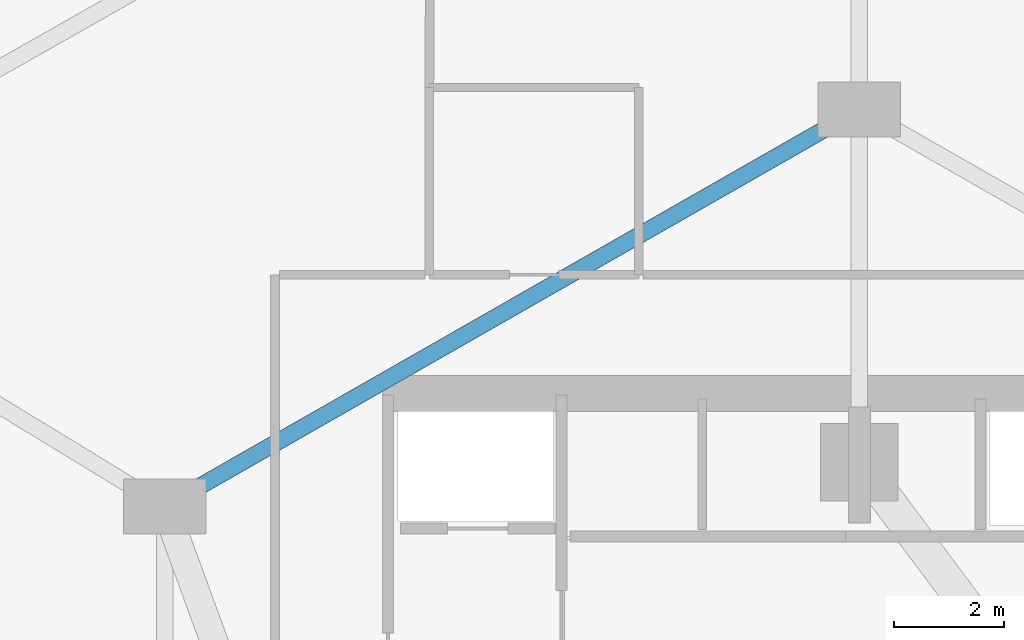
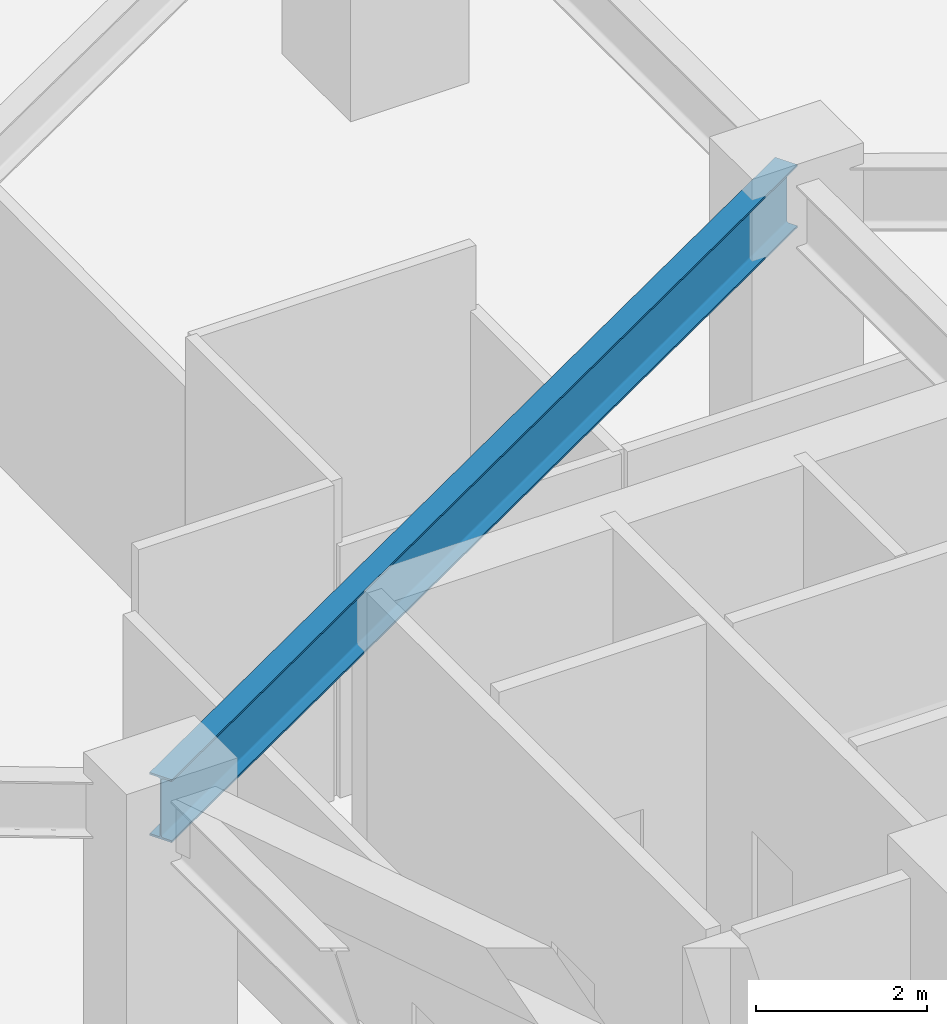
# One storey, part 9 of 23: 1 beam.
"""IFC4 building model written with IfcOpenShell, lengths in metres."""

from ifc_helpers import new_model, si_unit, direction, frame, origin, origin_2d, place, context, subcontext, project, spatial, i_section, extrude, material, material_profile, profile_set, type_object, element, save


model = new_model("IFC4")

# Units and contexts
model_context = context("Model", 3, precision=1e-05, world=origin(), true_north=direction((0.0, 1.0)))
body_context = subcontext(model_context, "Body", "Model", "MODEL_VIEW")
ifc_project = project(units=[si_unit("LENGTHUNIT", "METRE"), si_unit("AREAUNIT", "SQUARE_METRE"), si_unit("VOLUMEUNIT", "CUBIC_METRE"), si_unit("PLANEANGLEUNIT", "RADIAN"), si_unit("MASSUNIT", "GRAM", prefix="KILO")], contexts=[model_context])

# Site, building, storey
site_placement = place(None, origin())
site = spatial("IfcSite", under=ifc_project, at=site_placement, CompositionType="ELEMENT")
building_placement = place(site_placement, origin())
building = spatial("IfcBuilding", under=site, at=building_placement, Name="Miruveldt Soraemaru", CompositionType="ELEMENT")
storey_placement = place(building_placement, frame((0.0, 0.0, 9.60009765625)))
storey = spatial("IfcBuildingStorey", under=building, at=storey_placement, Name="L03", CompositionType="ELEMENT", Elevation=9.60009765625)

# Beam
ifc_material = material(Name="Steel S460 (460 MPa)", Category="steel")
ifc_material_profile = material_profile(ifc_material, i_section(OverallWidth=0.300048828125, OverallDepth=0.89990234375, WebThickness=0.01611328125, FlangeThickness=0.028076171875, FilletRadius=0.028076171875, at=origin_2d()), Name="Steel S460 (460 MPa)", Category="steel")
ifc_profile_set = profile_set([ifc_material_profile], Name="Steel S460 (460 MPa)")
beam_type = type_object("IfcBeamType", Name="BM-ST-H900", PredefinedType="BEAM", material=ifc_profile_set)
beam_placement = place(storey_placement, frame((31.39990234375, 50.39990234375, 4.0498046875), z_axis=(0.868239001029, 0.496146185203, 0.0), x_axis=(-0.496146185203, 0.868239001029, 0.0)))
element("IfcBeam", 1, at=beam_placement, inside=storey, type_object=beam_type, Name="L03 Inner Ring Girder 6", PredefinedType="BEAM", context=body_context, shape_type="SweptSolid", body=[
    extrude(i_section(OverallWidth=0.300048828125, OverallDepth=0.89990234375, WebThickness=0.01611328125, FlangeThickness=0.028076171875, FilletRadius=0.028076171875, at=origin_2d()), origin(), (0.0, 0.0, 1.0), 14.51220703125),
])

save(model, "model.ifc")
